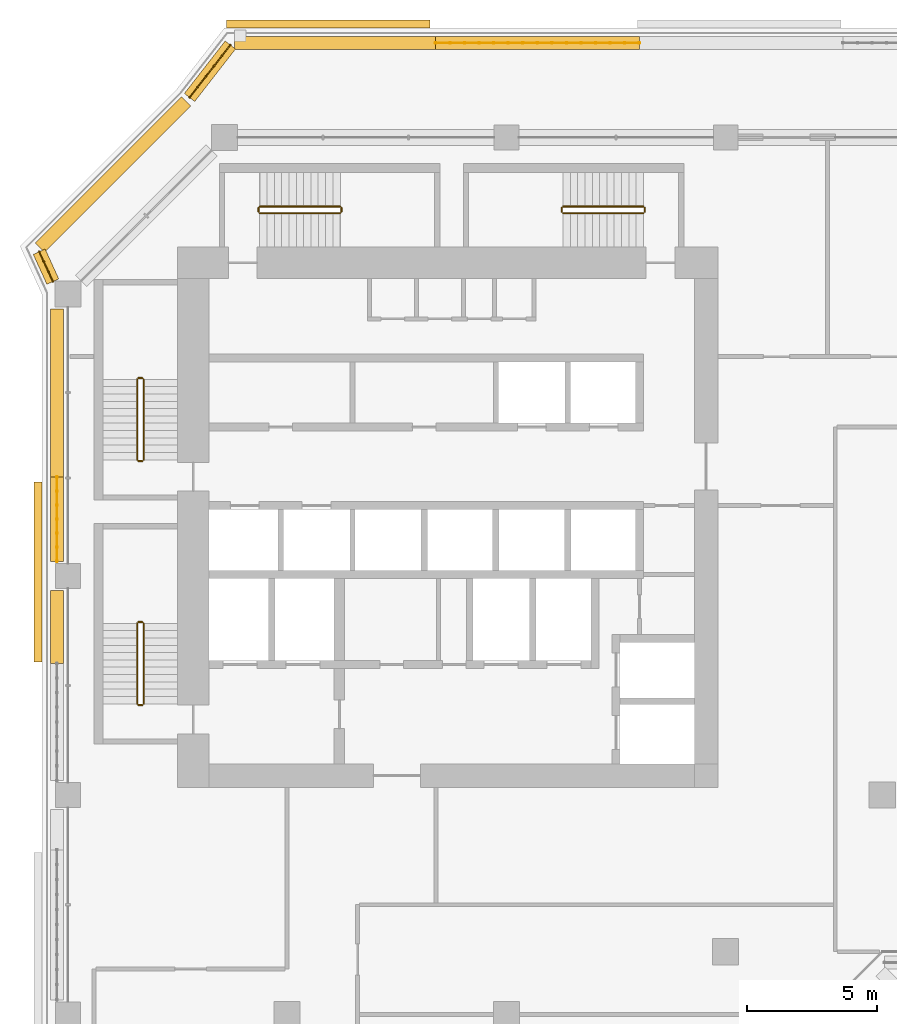
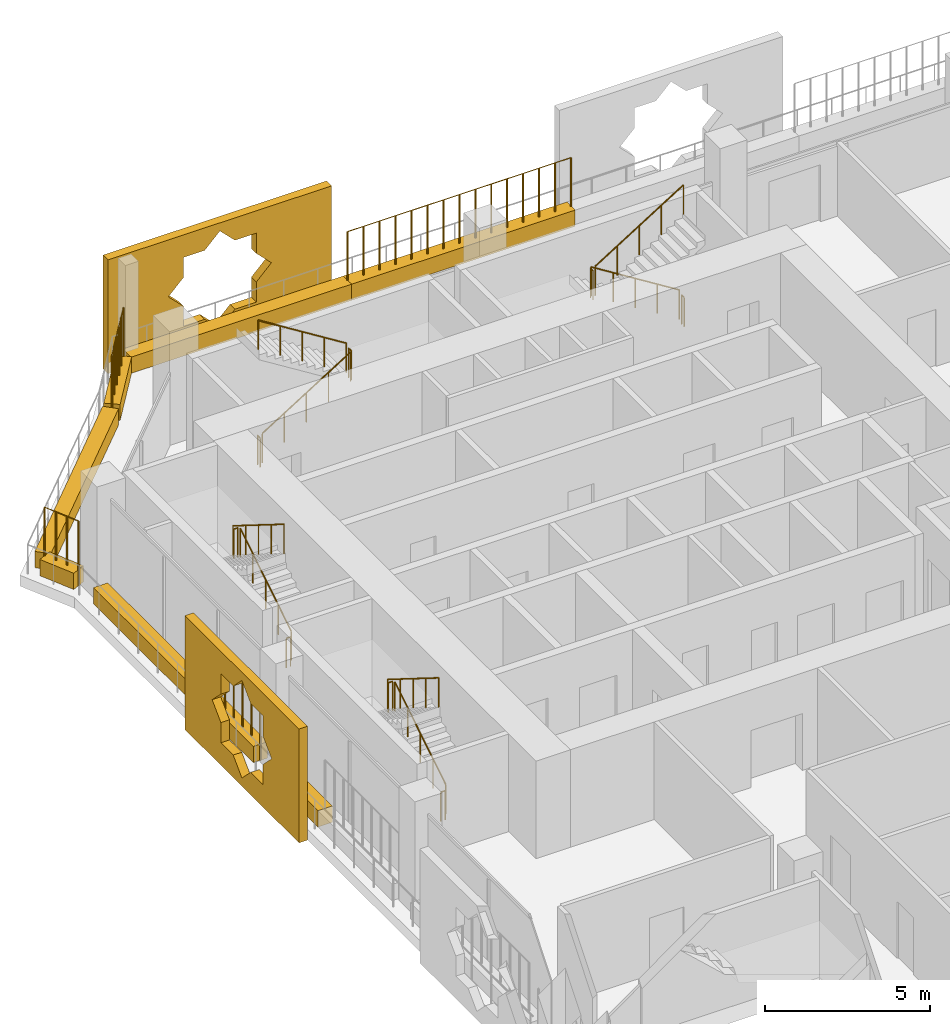
# One storey, part 19 of 21: 20 railings, 10 coverings.
"""IFC4 building model written with IfcOpenShell, lengths in metres."""

from ifc_helpers import new_model, si_unit, direction, frame, origin, origin_2d, place, context, subcontext, project, spatial, polyline, rectangle, circle, outline, extrude, material, material_profile, profile_set, type_object, element, save


model = new_model("IFC4")

# Units and contexts
model_context = context("Model", 3, precision=1e-05, world=origin(), true_north=direction((0.0, 1.0)))
body_context = subcontext(model_context, "Body", "Model", "MODEL_VIEW")
ifc_project = project(units=[si_unit("LENGTHUNIT", "METRE"), si_unit("AREAUNIT", "SQUARE_METRE"), si_unit("VOLUMEUNIT", "CUBIC_METRE"), si_unit("PLANEANGLEUNIT", "RADIAN"), si_unit("MASSUNIT", "GRAM", prefix="KILO")], contexts=[model_context])

# Site, building, storey
site_placement = place(None, origin())
site = spatial("IfcSite", under=ifc_project, at=site_placement, CompositionType="ELEMENT")
building_placement = place(site_placement, origin())
building = spatial("IfcBuilding", under=site, at=building_placement, Name="Kawkab Arch Medical Tower", CompositionType="ELEMENT")
storey_placement = place(building_placement, frame((0.0, 0.0, 200.39990234375)))
storey = spatial("IfcBuildingStorey", under=building, at=storey_placement, Name="L46", CompositionType="ELEMENT", Elevation=200.39990234375)

# Coverings
ifc_material_1 = material(Name="Bronze anodised aluminium mashrabiya panel, eight-point star pattern", Category="aluminium")
ifc_material_profile_1 = material_profile(ifc_material_1, outline(polyline([(-3.449951171875, -2.10009765625), (3.449951171875, -2.10009765625), (3.449951171875, 2.10009765625), (-3.449951171875, 2.10009765625), (-3.449951171875, -2.10009765625)]), holes=[polyline([(1.800048828125, 0.0), (1.272705078125, 0.527099609375), (1.272705078125, 1.272705078125), (0.527099609375, 1.272705078125), (0.0, 1.800048828125), (-0.527099609375, 1.272705078125), (-1.272705078125, 1.272705078125), (-1.272705078125, 0.527099609375), (-1.800048828125, 0.0), (-1.272705078125, -0.527099609375), (-1.272705078125, -1.272705078125), (-0.527099609375, -1.272705078125), (0.0, -1.800048828125), (0.527099609375, -1.272705078125), (1.272705078125, -1.272705078125), (1.272705078125, -0.527099609375), (1.800048828125, 0.0)])]), Name="Mashrabiya panel 6900x4200")
ifc_profile_set_1 = profile_set([ifc_material_profile_1], Name="Bronze anodised aluminium mashrabiya panel, eight-point star pattern")
covering_type_1 = type_object("IfcCoveringType", Name="Mashrabiya panel 6900 x 4200", PredefinedType="USERDEFINED", material=ifc_profile_set_1)
covering_1_placement = place(storey_placement, frame((-1.0, -16.64892578125, 1.7001953125), z_axis=(-1.0, 0.0, 0.0), x_axis=(0.0, -1.0, 0.0)))
element("IfcCovering", 1, at=covering_1_placement, inside=storey, type_object=covering_type_1, Name="Mashrabiya panel L46.LOG-01-01.4", ObjectType="SCREEN", PredefinedType="USERDEFINED", context=body_context, shape_type="SweptSolid", body=[
    extrude(outline(polyline([(-3.449951171875, -2.10009765625), (3.449951171875, -2.10009765625), (3.449951171875, 2.10009765625), (-3.449951171875, 2.10009765625), (-3.449951171875, -2.10009765625)]), holes=[polyline([(1.800048828125, 0.0), (1.272705078125, 0.527099609375), (1.272705078125, 1.272705078125), (0.527099609375, 1.272705078125), (0.0, 1.800048828125), (-0.527099609375, 1.272705078125), (-1.272705078125, 1.272705078125), (-1.272705078125, 0.527099609375), (-1.800048828125, 0.0), (-1.272705078125, -0.527099609375), (-1.272705078125, -1.272705078125), (-0.527099609375, -1.272705078125), (0.0, -1.800048828125), (0.527099609375, -1.272705078125), (1.272705078125, -1.272705078125), (1.272705078125, -0.527099609375), (1.800048828125, 0.0)])]), origin(), (0.0, 0.0, 1.0), 0.300048828125),
])
ifc_material_2 = material(Name="Bronze anodised aluminium mashrabiya panel, eight-point star pattern", Category="aluminium")
ifc_material_profile_2 = material_profile(ifc_material_2, outline(polyline([(-3.89990234375, -2.10009765625), (3.89990234375, -2.10009765625), (3.89990234375, 2.10009765625), (-3.89990234375, 2.10009765625), (-3.89990234375, -2.10009765625)]), holes=[polyline([(1.800048828125, 0.0), (1.272705078125, 0.527099609375), (1.272705078125, 1.272705078125), (0.527099609375, 1.272705078125), (0.0, 1.800048828125), (-0.527099609375, 1.272705078125), (-1.272705078125, 1.272705078125), (-1.272705078125, 0.527099609375), (-1.800048828125, 0.0), (-1.272705078125, -0.527099609375), (-1.272705078125, -1.272705078125), (-0.527099609375, -1.272705078125), (0.0, -1.800048828125), (0.527099609375, -1.272705078125), (1.272705078125, -1.272705078125), (1.272705078125, -0.527099609375), (1.800048828125, 0.0)])]), Name="Mashrabiya panel 7800x4200")
ifc_profile_set_2 = profile_set([ifc_material_profile_2], Name="Bronze anodised aluminium mashrabiya panel, eight-point star pattern")
covering_type_2 = type_object("IfcCoveringType", Name="Mashrabiya panel 7800 x 4200", PredefinedType="USERDEFINED", material=ifc_profile_set_2)
covering_2_placement = place(storey_placement, frame((9.967041015625, 4.199951171875, 1.7001953125), z_axis=(0.0, 1.0, 0.0), x_axis=(-1.0, 0.0, 0.0)))
element("IfcCovering", 2, at=covering_2_placement, inside=storey, type_object=covering_type_2, Name="Mashrabiya panel L46.LOG-01-01.5", ObjectType="SCREEN", PredefinedType="USERDEFINED", context=body_context, shape_type="SweptSolid", body=[
    extrude(outline(polyline([(-3.89990234375, -2.10009765625), (3.89990234375, -2.10009765625), (3.89990234375, 2.10009765625), (-3.89990234375, 2.10009765625), (-3.89990234375, -2.10009765625)]), holes=[polyline([(1.800048828125, 0.0), (1.272705078125, 0.527099609375), (1.272705078125, 1.272705078125), (0.527099609375, 1.272705078125), (0.0, 1.800048828125), (-0.527099609375, 1.272705078125), (-1.272705078125, 1.272705078125), (-1.272705078125, 0.527099609375), (-1.800048828125, 0.0), (-1.272705078125, -0.527099609375), (-1.272705078125, -1.272705078125), (-0.527099609375, -1.272705078125), (0.0, -1.800048828125), (0.527099609375, -1.272705078125), (1.272705078125, -1.272705078125), (1.272705078125, -0.527099609375), (1.800048828125, 0.0)])]), origin(), (0.0, 0.0, 1.0), 0.300048828125),
])
ifc_material_3 = material(Name="Planting soil in a precast trough", Category="concrete")
ifc_material_profile_3 = material_profile(ifc_material_3, rectangle(XDim=0.5, YDim=0.60009765625, at=origin_2d()), Name="Trough 500x600")
ifc_profile_set_3 = profile_set([ifc_material_profile_3], Name="Planting soil in a precast trough")
covering_type_3 = type_object("IfcCoveringType", Name="Planter trough 500 x 600", PredefinedType="USERDEFINED", material=ifc_profile_set_3)
covering_3_placement = place(storey_placement, frame((-0.419921875, -20.157958984375, 0.300048828125), z_axis=(0.0, 1.0, 0.0), x_axis=(-1.0, 0.0, 0.0)))
element("IfcCovering", 3, at=covering_3_placement, inside=storey, type_object=covering_type_3, Name="Planter L46.LOG-01-01.12", ObjectType="PLANTER", PredefinedType="USERDEFINED", context=body_context, shape_type="SweptSolid", body=[
    extrude(rectangle(XDim=0.5, YDim=0.60009765625, at=origin_2d()), origin(), (0.0, 0.0, 1.0), 2.802978515625),
])
covering_4_placement = place(storey_placement, frame((-0.419921875, -16.2451171875, 0.300048828125), z_axis=(0.0, 1.0, 0.0), x_axis=(-1.0, 0.0, 0.0)))
element("IfcCovering", 4, at=covering_4_placement, inside=storey, type_object=covering_type_3, Name="Planter L46.LOG-01-01.13", ObjectType="PLANTER", PredefinedType="USERDEFINED", context=body_context, shape_type="SweptSolid", body=[
    extrude(rectangle(XDim=0.5, YDim=0.60009765625, at=origin_2d()), origin(), (0.0, 0.0, 1.0), 3.22900390625),
])
covering_5_placement = place(storey_placement, frame((-0.419921875, -13.01611328125, 0.300048828125), z_axis=(0.0, 1.0, 0.0), x_axis=(-1.0, 0.0, 0.0)))
element("IfcCovering", 5, at=covering_5_placement, inside=storey, type_object=covering_type_3, Name="Planter L46.LOG-01-01.14", ObjectType="PLANTER", PredefinedType="USERDEFINED", context=body_context, shape_type="SweptSolid", body=[
    extrude(rectangle(XDim=0.5, YDim=0.60009765625, at=origin_2d()), origin(), (0.0, 0.0, 1.0), 6.43603515625),
])
covering_6_placement = place(storey_placement, frame((-0.580078125, -5.52294921875, 0.300048828125), z_axis=(-0.415089762627, 0.909780461959, 0.0), x_axis=(-0.909780461959, -0.415089762627, 0.0)))
element("IfcCovering", 6, at=covering_6_placement, inside=storey, type_object=covering_type_3, Name="Planter L46.LOG-01-01.15", ObjectType="PLANTER", PredefinedType="USERDEFINED", context=body_context, shape_type="SweptSolid", body=[
    extrude(rectangle(XDim=0.5, YDim=0.60009765625, at=origin_2d()), origin(), (0.0, 0.0, 1.0), 1.257568359375),
])
covering_7_placement = place(storey_placement, frame((-1.072998046875, -4.217041015625, 0.300048828125), z_axis=(0.707106781187, 0.707106781187, 0.0), x_axis=(-0.707106781187, 0.707106781187, 0.0)))
element("IfcCovering", 7, at=covering_7_placement, inside=storey, type_object=covering_type_3, Name="Planter L46.LOG-01-01.16", ObjectType="PLANTER", PredefinedType="USERDEFINED", context=body_context, shape_type="SweptSolid", body=[
    extrude(rectangle(XDim=0.5, YDim=0.60009765625, at=origin_2d()), origin(), (0.0, 0.0, 1.0), 7.919677734375),
])
covering_8_placement = place(storey_placement, frame((4.658935546875, 1.531982421875, 0.300048828125), z_axis=(0.61404021143, 0.789274742246, 0.0), x_axis=(-0.789274742246, 0.61404021143, 0.0)))
element("IfcCovering", 8, at=covering_8_placement, inside=storey, type_object=covering_type_3, Name="Planter L46.LOG-01-01.17", ObjectType="PLANTER", PredefinedType="USERDEFINED", context=body_context, shape_type="SweptSolid", body=[
    extrude(rectangle(XDim=0.5, YDim=0.60009765625, at=origin_2d()), origin(), (0.0, 0.0, 1.0), 2.54541015625),
])
covering_9_placement = place(storey_placement, frame((6.384033203125, 3.6201171875, 0.300048828125), z_axis=(1.0, 0.0, 0.0), x_axis=(0.0, 1.0, 0.0)))
element("IfcCovering", 9, at=covering_9_placement, inside=storey, type_object=covering_type_3, Name="Planter L46.LOG-01-01.18", ObjectType="PLANTER", PredefinedType="USERDEFINED", context=body_context, shape_type="SweptSolid", body=[
    extrude(rectangle(XDim=0.5, YDim=0.60009765625, at=origin_2d()), origin(), (0.0, 0.0, 1.0), 7.703857421875),
])
covering_10_placement = place(storey_placement, frame((14.087890625, 3.6201171875, 0.300048828125), z_axis=(1.0, 0.0, 0.0), x_axis=(0.0, 1.0, 0.0)))
element("IfcCovering", 10, at=covering_10_placement, inside=storey, type_object=covering_type_3, Name="Planter L46.LOG-01-01.19", ObjectType="PLANTER", PredefinedType="USERDEFINED", context=body_context, shape_type="SweptSolid", body=[
    extrude(rectangle(XDim=0.5, YDim=0.60009765625, at=origin_2d()), origin(), (0.0, 0.0, 1.0), 7.80517578125),
])

# Railings
ifc_material_4 = material(Name="Bronze anodised aluminium trellis for climbing plants", Category="aluminium")
railing_type_1 = type_object("IfcRailingType", Name="Planting trellis 2400", PredefinedType="USERDEFINED", material=ifc_material_4)
railing_1_placement = place(storey_placement, frame((-0.419921875, -16.2451171875, 0.0)))
element("IfcRailing", 11, at=railing_1_placement, inside=storey, type_object=railing_type_1, Name="Planting trellis L46.LOG-01-01.13", ObjectType="TRELLIS", PredefinedType="USERDEFINED", context=body_context, shape_type="SweptSolid", body=[
    extrude(circle(Radius=0.01513671875, at=origin_2d()), frame((0.0, 0.0, 2.384765625), z_axis=(0.0, 1.0, 0.0), x_axis=(-1.0, 0.0, 0.0)), (0.0, 0.0, 1.0), 3.22900390625),
    extrude(circle(Radius=0.030029296875, at=origin_2d()), origin(), (0.0, 0.0, 1.0), 2.369873046875),
    extrude(circle(Radius=0.030029296875, at=origin_2d()), frame((0.0, 0.5380859375, 0.0)), (0.0, 0.0, 1.0), 2.369873046875),
    extrude(circle(Radius=0.030029296875, at=origin_2d()), frame((0.0, 1.076416015625, 0.0)), (0.0, 0.0, 1.0), 2.369873046875),
    extrude(circle(Radius=0.030029296875, at=origin_2d()), frame((0.0, 1.614501953125, 0.0)), (0.0, 0.0, 1.0), 2.369873046875),
    extrude(circle(Radius=0.030029296875, at=origin_2d()), frame((0.0, 2.152587890625, 0.0)), (0.0, 0.0, 1.0), 2.369873046875),
    extrude(circle(Radius=0.030029296875, at=origin_2d()), frame((0.0, 2.69091796875, 0.0)), (0.0, 0.0, 1.0), 2.369873046875),
    extrude(circle(Radius=0.030029296875, at=origin_2d()), frame((0.0, 3.22900390625, 0.0)), (0.0, 0.0, 1.0), 2.369873046875),
])
railing_2_placement = place(storey_placement, frame((-0.580078125, -5.52294921875, 0.0)))
element("IfcRailing", 12, at=railing_2_placement, inside=storey, type_object=railing_type_1, Name="Planting trellis L46.LOG-01-01.15", ObjectType="TRELLIS", PredefinedType="USERDEFINED", context=body_context, shape_type="SweptSolid", body=[
    extrude(circle(Radius=0.01513671875, at=origin_2d()), frame((0.0, 0.0, 2.384765625), z_axis=(-0.415089762627, 0.909780461959, 0.0), x_axis=(-0.909780461959, -0.415089762627, 0.0)), (0.0, 0.0, 1.0), 1.257568359375),
    extrude(circle(Radius=0.030029296875, at=origin_2d()), origin(), (0.0, 0.0, 1.0), 2.369873046875),
    extrude(circle(Radius=0.030029296875, at=origin_2d()), frame((-0.174072265625, 0.38134765625, 0.0)), (0.0, 0.0, 1.0), 2.369873046875),
    extrude(circle(Radius=0.030029296875, at=origin_2d()), frame((-0.347900390625, 0.7626953125, 0.0)), (0.0, 0.0, 1.0), 2.369873046875),
    extrude(circle(Radius=0.030029296875, at=origin_2d()), frame((-0.52197265625, 1.14404296875, 0.0)), (0.0, 0.0, 1.0), 2.369873046875),
])
railing_3_placement = place(storey_placement, frame((4.658935546875, 1.531982421875, 0.0)))
element("IfcRailing", 13, at=railing_3_placement, inside=storey, type_object=railing_type_1, Name="Planting trellis L46.LOG-01-01.17", ObjectType="TRELLIS", PredefinedType="USERDEFINED", context=body_context, shape_type="SweptSolid", body=[
    extrude(circle(Radius=0.01513671875, at=origin_2d()), frame((0.0, 0.0, 2.384765625), z_axis=(0.61404021143, 0.789274742246, 0.0), x_axis=(-0.789274742246, 0.61404021143, 0.0)), (0.0, 0.0, 1.0), 2.54541015625),
    extrude(circle(Radius=0.030029296875, at=origin_2d()), origin(), (0.0, 0.0, 1.0), 2.369873046875),
    extrude(circle(Radius=0.030029296875, at=origin_2d()), frame((0.3125, 0.40185546875, 0.0)), (0.0, 0.0, 1.0), 2.369873046875),
    extrude(circle(Radius=0.030029296875, at=origin_2d()), frame((0.625244140625, 0.8037109375, 0.0)), (0.0, 0.0, 1.0), 2.369873046875),
    extrude(circle(Radius=0.030029296875, at=origin_2d()), frame((0.937744140625, 1.205322265625, 0.0)), (0.0, 0.0, 1.0), 2.369873046875),
    extrude(circle(Radius=0.030029296875, at=origin_2d()), frame((1.25048828125, 1.607177734375, 0.0)), (0.0, 0.0, 1.0), 2.369873046875),
    extrude(circle(Radius=0.030029296875, at=origin_2d()), frame((1.56298828125, 2.009033203125, 0.0)), (0.0, 0.0, 1.0), 2.369873046875),
])
railing_4_placement = place(storey_placement, frame((14.087890625, 3.6201171875, 0.0)))
element("IfcRailing", 14, at=railing_4_placement, inside=storey, type_object=railing_type_1, Name="Planting trellis L46.LOG-01-01.19", ObjectType="TRELLIS", PredefinedType="USERDEFINED", context=body_context, shape_type="SweptSolid", body=[
    extrude(circle(Radius=0.01513671875, at=origin_2d()), frame((0.0, 0.0, 2.384765625), z_axis=(1.0, 0.0, 0.0), x_axis=(0.0, 1.0, 0.0)), (0.0, 0.0, 1.0), 7.80517578125),
    extrude(circle(Radius=0.030029296875, at=origin_2d()), origin(), (0.0, 0.0, 1.0), 2.369873046875),
    extrude(circle(Radius=0.030029296875, at=origin_2d()), frame((0.5576171875, 0.0, 0.0)), (0.0, 0.0, 1.0), 2.369873046875),
    extrude(circle(Radius=0.030029296875, at=origin_2d()), frame((1.114990234375, 0.0, 0.0)), (0.0, 0.0, 1.0), 2.369873046875),
    extrude(circle(Radius=0.030029296875, at=origin_2d()), frame((1.672607421875, 0.0, 0.0)), (0.0, 0.0, 1.0), 2.369873046875),
    extrude(circle(Radius=0.030029296875, at=origin_2d()), frame((2.22998046875, 0.0, 0.0)), (0.0, 0.0, 1.0), 2.369873046875),
    extrude(circle(Radius=0.030029296875, at=origin_2d()), frame((2.78759765625, 0.0, 0.0)), (0.0, 0.0, 1.0), 2.369873046875),
    extrude(circle(Radius=0.030029296875, at=origin_2d()), frame((3.344970703125, 0.0, 0.0)), (0.0, 0.0, 1.0), 2.369873046875),
    extrude(circle(Radius=0.030029296875, at=origin_2d()), frame((3.902587890625, 0.0, 0.0)), (0.0, 0.0, 1.0), 2.369873046875),
    extrude(circle(Radius=0.030029296875, at=origin_2d()), frame((4.460205078125, 0.0, 0.0)), (0.0, 0.0, 1.0), 2.369873046875),
    extrude(circle(Radius=0.030029296875, at=origin_2d()), frame((5.017578125, 0.0, 0.0)), (0.0, 0.0, 1.0), 2.369873046875),
    extrude(circle(Radius=0.030029296875, at=origin_2d()), frame((5.5751953125, 0.0, 0.0)), (0.0, 0.0, 1.0), 2.369873046875),
    extrude(circle(Radius=0.030029296875, at=origin_2d()), frame((6.132568359375, 0.0, 0.0)), (0.0, 0.0, 1.0), 2.369873046875),
    extrude(circle(Radius=0.030029296875, at=origin_2d()), frame((6.690185546875, 0.0, 0.0)), (0.0, 0.0, 1.0), 2.369873046875),
    extrude(circle(Radius=0.030029296875, at=origin_2d()), frame((7.24755859375, 0.0, 0.0)), (0.0, 0.0, 1.0), 2.369873046875),
    extrude(circle(Radius=0.030029296875, at=origin_2d()), frame((7.80517578125, 0.0, 0.0)), (0.0, 0.0, 1.0), 2.369873046875),
])
ifc_material_5 = material(Name="Stainless steel", Category="steel")
railing_type_2 = type_object("IfcRailingType", Name="Stair guard 1100", PredefinedType="GUARDRAIL", material=ifc_material_5)
railing_5_placement = place(storey_placement, frame((2.89990234375, -12.35009765625, 0.175048828125)))
element("IfcRailing", 15, at=railing_5_placement, inside=storey, type_object=railing_type_2, Name="L46 ST1 stair guard 1", PredefinedType="GUARDRAIL", context=body_context, shape_type="SweptSolid", body=[
    extrude(circle(Radius=0.02392578125, at=origin_2d()), frame((0.0, 0.0, 1.076171875), z_axis=(0.0, 0.847998304005, 0.529998940003), x_axis=(-1.0, 0.0, 0.0)), (0.0, 0.0, 1.0), 3.632080078125),
    extrude(circle(Radius=0.02099609375, at=origin_2d()), origin(), (0.0, 0.0, 1.0), 1.052001953125),
    extrude(circle(Radius=0.02099609375, at=origin_2d()), frame((0.0, 0.77001953125, 0.481201171875)), (0.0, 0.0, 1.0), 1.052001953125),
    extrude(circle(Radius=0.02099609375, at=origin_2d()), frame((0.0, 1.5400390625, 0.96240234375)), (0.0, 0.0, 1.0), 1.052001953125),
    extrude(circle(Radius=0.02099609375, at=origin_2d()), frame((0.0, 2.31005859375, 1.44384765625)), (0.0, 0.0, 1.0), 1.052001953125),
    extrude(circle(Radius=0.02099609375, at=origin_2d()), frame((0.0, 3.080078125, 1.925048828125)), (0.0, 0.0, 1.0), 1.052001953125),
])
railing_6_placement = place(storey_placement, frame((2.85009765625, -9.219970703125, 2.10009765625)))
element("IfcRailing", 16, at=railing_6_placement, inside=storey, type_object=railing_type_2, Name="L46 ST1 stair guard 2", PredefinedType="GUARDRAIL", context=body_context, shape_type="SweptSolid", body=[
    extrude(circle(Radius=0.02392578125, at=origin_2d()), frame((0.0, 0.0, 1.076171875), z_axis=(-1.0, 0.0, 0.0), x_axis=(0.0, -1.0, 0.0)), (0.0, 0.0, 1.0), 0.150146484375),
    extrude(circle(Radius=0.02099609375, at=origin_2d()), origin(), (0.0, 0.0, 1.0), 1.052001953125),
    extrude(circle(Radius=0.02099609375, at=origin_2d()), frame((-0.150146484375, 0.0, 0.0)), (0.0, 0.0, 1.0), 1.052001953125),
])
railing_7_placement = place(storey_placement, frame((2.64990234375, -9.27001953125, 2.275146484375)))
element("IfcRailing", 17, at=railing_7_placement, inside=storey, type_object=railing_type_2, Name="L46 ST1 stair guard 3", PredefinedType="GUARDRAIL", context=body_context, shape_type="SweptSolid", body=[
    extrude(circle(Radius=0.02392578125, at=origin_2d()), frame((0.0, 0.0, 1.076171875), z_axis=(0.0, -0.847998304005, 0.529998940003), x_axis=(1.0, 0.0, 0.0)), (0.0, 0.0, 1.0), 3.632080078125),
    extrude(circle(Radius=0.02099609375, at=origin_2d()), origin(), (0.0, 0.0, 1.0), 1.052001953125),
    extrude(circle(Radius=0.02099609375, at=origin_2d()), frame((0.0, -0.77001953125, 0.481201171875)), (0.0, 0.0, 1.0), 1.052001953125),
    extrude(circle(Radius=0.02099609375, at=origin_2d()), frame((0.0, -1.5400390625, 0.96240234375)), (0.0, 0.0, 1.0), 1.052001953125),
    extrude(circle(Radius=0.02099609375, at=origin_2d()), frame((0.0, -2.31005859375, 1.44384765625)), (0.0, 0.0, 1.0), 1.052001953125),
    extrude(circle(Radius=0.02099609375, at=origin_2d()), frame((0.0, -3.080078125, 1.925048828125)), (0.0, 0.0, 1.0), 1.052001953125),
])
railing_8_placement = place(storey_placement, frame((2.85009765625, -12.39990234375, 0.0)))
element("IfcRailing", 18, at=railing_8_placement, inside=storey, type_object=railing_type_2, Name="L46 ST1 stair guard 4", PredefinedType="GUARDRAIL", context=body_context, shape_type="SweptSolid", body=[
    extrude(circle(Radius=0.02392578125, at=origin_2d()), frame((0.0, 0.0, 1.076171875), z_axis=(-1.0, 0.0, 0.0), x_axis=(0.0, -1.0, 0.0)), (0.0, 0.0, 1.0), 0.150146484375),
    extrude(circle(Radius=0.02099609375, at=origin_2d()), origin(), (0.0, 0.0, 1.0), 1.052001953125),
    extrude(circle(Radius=0.02099609375, at=origin_2d()), frame((-0.150146484375, 0.0, 0.0)), (0.0, 0.0, 1.0), 1.052001953125),
])
railing_9_placement = place(storey_placement, frame((2.89990234375, -21.699951171875, 0.175048828125)))
element("IfcRailing", 19, at=railing_9_placement, inside=storey, type_object=railing_type_2, Name="L46 ST2 stair guard 1", PredefinedType="GUARDRAIL", context=body_context, shape_type="SweptSolid", body=[
    extrude(circle(Radius=0.02392578125, at=origin_2d()), frame((0.0, 0.0, 1.076171875), z_axis=(0.0, 0.847979421464, 0.530029150871), x_axis=(-1.0, 0.0, 0.0)), (0.0, 0.0, 1.0), 3.632080078125),
    extrude(circle(Radius=0.02099609375, at=origin_2d()), origin(), (0.0, 0.0, 1.0), 1.052001953125),
    extrude(circle(Radius=0.02099609375, at=origin_2d()), frame((0.0, 0.77001953125, 0.481201171875)), (0.0, 0.0, 1.0), 1.052001953125),
    extrude(circle(Radius=0.02099609375, at=origin_2d()), frame((0.0, 1.5400390625, 0.96240234375)), (0.0, 0.0, 1.0), 1.052001953125),
    extrude(circle(Radius=0.02099609375, at=origin_2d()), frame((0.0, 2.309814453125, 1.44384765625)), (0.0, 0.0, 1.0), 1.052001953125),
    extrude(circle(Radius=0.02099609375, at=origin_2d()), frame((0.0, 3.079833984375, 1.925048828125)), (0.0, 0.0, 1.0), 1.052001953125),
])
railing_10_placement = place(storey_placement, frame((2.85009765625, -18.570068359375, 2.10009765625)))
element("IfcRailing", 20, at=railing_10_placement, inside=storey, type_object=railing_type_2, Name="L46 ST2 stair guard 2", PredefinedType="GUARDRAIL", context=body_context, shape_type="SweptSolid", body=[
    extrude(circle(Radius=0.02392578125, at=origin_2d()), frame((0.0, 0.0, 1.076171875), z_axis=(-1.0, 0.0, 0.0), x_axis=(0.0, -1.0, 0.0)), (0.0, 0.0, 1.0), 0.150146484375),
    extrude(circle(Radius=0.02099609375, at=origin_2d()), origin(), (0.0, 0.0, 1.0), 1.052001953125),
    extrude(circle(Radius=0.02099609375, at=origin_2d()), frame((-0.150146484375, 0.0, 0.0)), (0.0, 0.0, 1.0), 1.052001953125),
])
railing_11_placement = place(storey_placement, frame((2.64990234375, -18.6201171875, 2.275146484375)))
element("IfcRailing", 21, at=railing_11_placement, inside=storey, type_object=railing_type_2, Name="L46 ST2 stair guard 3", PredefinedType="GUARDRAIL", context=body_context, shape_type="SweptSolid", body=[
    extrude(circle(Radius=0.02392578125, at=origin_2d()), frame((0.0, 0.0, 1.076171875), z_axis=(0.0, -0.847979421464, 0.530029150871), x_axis=(1.0, 0.0, 0.0)), (0.0, 0.0, 1.0), 3.632080078125),
    extrude(circle(Radius=0.02099609375, at=origin_2d()), origin(), (0.0, 0.0, 1.0), 1.052001953125),
    extrude(circle(Radius=0.02099609375, at=origin_2d()), frame((0.0, -0.77001953125, 0.481201171875)), (0.0, 0.0, 1.0), 1.052001953125),
    extrude(circle(Radius=0.02099609375, at=origin_2d()), frame((0.0, -1.5400390625, 0.96240234375)), (0.0, 0.0, 1.0), 1.052001953125),
    extrude(circle(Radius=0.02099609375, at=origin_2d()), frame((0.0, -2.309814453125, 1.44384765625)), (0.0, 0.0, 1.0), 1.052001953125),
    extrude(circle(Radius=0.02099609375, at=origin_2d()), frame((0.0, -3.079833984375, 1.925048828125)), (0.0, 0.0, 1.0), 1.052001953125),
])
railing_12_placement = place(storey_placement, frame((2.85009765625, -21.75, 0.0)))
element("IfcRailing", 22, at=railing_12_placement, inside=storey, type_object=railing_type_2, Name="L46 ST2 stair guard 4", PredefinedType="GUARDRAIL", context=body_context, shape_type="SweptSolid", body=[
    extrude(circle(Radius=0.02392578125, at=origin_2d()), frame((0.0, 0.0, 1.076171875), z_axis=(-1.0, 0.0, 0.0), x_axis=(0.0, -1.0, 0.0)), (0.0, 0.0, 1.0), 0.150146484375),
    extrude(circle(Radius=0.02099609375, at=origin_2d()), origin(), (0.0, 0.0, 1.0), 1.052001953125),
    extrude(circle(Radius=0.02099609375, at=origin_2d()), frame((-0.150146484375, 0.0, 0.0)), (0.0, 0.0, 1.0), 1.052001953125),
])
railing_13_placement = place(storey_placement, frame((7.35009765625, -2.89990234375, 0.175048828125)))
element("IfcRailing", 23, at=railing_13_placement, inside=storey, type_object=railing_type_2, Name="L46 ST3 stair guard 1", PredefinedType="GUARDRAIL", context=body_context, shape_type="SweptSolid", body=[
    extrude(circle(Radius=0.02392578125, at=origin_2d()), frame((0.0, 0.0, 1.076171875), z_axis=(0.847979421464, 0.0, 0.530029150871), x_axis=(0.0, 1.0, 0.0)), (0.0, 0.0, 1.0), 3.632080078125),
    extrude(circle(Radius=0.02099609375, at=origin_2d()), origin(), (0.0, 0.0, 1.0), 1.052001953125),
    extrude(circle(Radius=0.02099609375, at=origin_2d()), frame((0.77001953125, 0.0, 0.481201171875)), (0.0, 0.0, 1.0), 1.052001953125),
    extrude(circle(Radius=0.02099609375, at=origin_2d()), frame((1.5400390625, 0.0, 0.96240234375)), (0.0, 0.0, 1.0), 1.052001953125),
    extrude(circle(Radius=0.02099609375, at=origin_2d()), frame((2.309814453125, 0.0, 1.44384765625)), (0.0, 0.0, 1.0), 1.052001953125),
    extrude(circle(Radius=0.02099609375, at=origin_2d()), frame((3.079833984375, 0.0, 1.925048828125)), (0.0, 0.0, 1.0), 1.052001953125),
])
railing_14_placement = place(storey_placement, frame((10.47998046875, -2.85009765625, 2.10009765625)))
element("IfcRailing", 24, at=railing_14_placement, inside=storey, type_object=railing_type_2, Name="L46 ST3 stair guard 2", PredefinedType="GUARDRAIL", context=body_context, shape_type="SweptSolid", body=[
    extrude(circle(Radius=0.02392578125, at=origin_2d()), frame((0.0, 0.0, 1.076171875), z_axis=(0.0, 1.0, 0.0), x_axis=(-1.0, 0.0, 0.0)), (0.0, 0.0, 1.0), 0.150146484375),
    extrude(circle(Radius=0.02099609375, at=origin_2d()), origin(), (0.0, 0.0, 1.0), 1.052001953125),
    extrude(circle(Radius=0.02099609375, at=origin_2d()), frame((0.0, 0.150146484375, 0.0)), (0.0, 0.0, 1.0), 1.052001953125),
])
railing_15_placement = place(storey_placement, frame((10.429931640625, -2.64990234375, 2.275146484375)))
element("IfcRailing", 25, at=railing_15_placement, inside=storey, type_object=railing_type_2, Name="L46 ST3 stair guard 3", PredefinedType="GUARDRAIL", context=body_context, shape_type="SweptSolid", body=[
    extrude(circle(Radius=0.02392578125, at=origin_2d()), frame((0.0, 0.0, 1.076171875), z_axis=(-0.847979421464, 0.0, 0.530029150871), x_axis=(0.0, -1.0, 0.0)), (0.0, 0.0, 1.0), 3.632080078125),
    extrude(circle(Radius=0.02099609375, at=origin_2d()), origin(), (0.0, 0.0, 1.0), 1.052001953125),
    extrude(circle(Radius=0.02099609375, at=origin_2d()), frame((-0.77001953125, 0.0, 0.481201171875)), (0.0, 0.0, 1.0), 1.052001953125),
    extrude(circle(Radius=0.02099609375, at=origin_2d()), frame((-1.5400390625, 0.0, 0.96240234375)), (0.0, 0.0, 1.0), 1.052001953125),
    extrude(circle(Radius=0.02099609375, at=origin_2d()), frame((-2.309814453125, 0.0, 1.44384765625)), (0.0, 0.0, 1.0), 1.052001953125),
    extrude(circle(Radius=0.02099609375, at=origin_2d()), frame((-3.079833984375, 0.0, 1.925048828125)), (0.0, 0.0, 1.0), 1.052001953125),
])
railing_16_placement = place(storey_placement, frame((7.300048828125, -2.85009765625, 0.0)))
element("IfcRailing", 26, at=railing_16_placement, inside=storey, type_object=railing_type_2, Name="L46 ST3 stair guard 4", PredefinedType="GUARDRAIL", context=body_context, shape_type="SweptSolid", body=[
    extrude(circle(Radius=0.02392578125, at=origin_2d()), frame((0.0, 0.0, 1.076171875), z_axis=(0.0, 1.0, 0.0), x_axis=(-1.0, 0.0, 0.0)), (0.0, 0.0, 1.0), 0.150146484375),
    extrude(circle(Radius=0.02099609375, at=origin_2d()), origin(), (0.0, 0.0, 1.0), 1.052001953125),
    extrude(circle(Radius=0.02099609375, at=origin_2d()), frame((0.0, 0.150146484375, 0.0)), (0.0, 0.0, 1.0), 1.052001953125),
])
railing_17_placement = place(storey_placement, frame((22.050048828125, -2.64990234375, 0.175048828125)))
element("IfcRailing", 27, at=railing_17_placement, inside=storey, type_object=railing_type_2, Name="L46 ST4 stair guard 1", PredefinedType="GUARDRAIL", context=body_context, shape_type="SweptSolid", body=[
    extrude(circle(Radius=0.02392578125, at=origin_2d()), frame((0.0, 0.0, 1.076171875), z_axis=(-0.847998304005, 0.0, 0.529998940003), x_axis=(0.0, -1.0, 0.0)), (0.0, 0.0, 1.0), 3.632080078125),
    extrude(circle(Radius=0.02099609375, at=origin_2d()), origin(), (0.0, 0.0, 1.0), 1.052001953125),
    extrude(circle(Radius=0.02099609375, at=origin_2d()), frame((-0.77001953125, 0.0, 0.481201171875)), (0.0, 0.0, 1.0), 1.052001953125),
    extrude(circle(Radius=0.02099609375, at=origin_2d()), frame((-1.5400390625, 0.0, 0.96240234375)), (0.0, 0.0, 1.0), 1.052001953125),
    extrude(circle(Radius=0.02099609375, at=origin_2d()), frame((-2.31005859375, 0.0, 1.44384765625)), (0.0, 0.0, 1.0), 1.052001953125),
    extrude(circle(Radius=0.02099609375, at=origin_2d()), frame((-3.080078125, 0.0, 1.925048828125)), (0.0, 0.0, 1.0), 1.052001953125),
])
railing_18_placement = place(storey_placement, frame((18.919921875, -2.699951171875, 2.10009765625)))
element("IfcRailing", 28, at=railing_18_placement, inside=storey, type_object=railing_type_2, Name="L46 ST4 stair guard 2", PredefinedType="GUARDRAIL", context=body_context, shape_type="SweptSolid", body=[
    extrude(circle(Radius=0.02392578125, at=origin_2d()), frame((0.0, 0.0, 1.076171875), z_axis=(0.0, -1.0, 0.0), x_axis=(1.0, 0.0, 0.0)), (0.0, 0.0, 1.0), 0.150146484375),
    extrude(circle(Radius=0.02099609375, at=origin_2d()), origin(), (0.0, 0.0, 1.0), 1.052001953125),
    extrude(circle(Radius=0.02099609375, at=origin_2d()), frame((0.0, -0.150146484375, 0.0)), (0.0, 0.0, 1.0), 1.052001953125),
])
railing_19_placement = place(storey_placement, frame((18.969970703125, -2.89990234375, 2.275146484375)))
element("IfcRailing", 29, at=railing_19_placement, inside=storey, type_object=railing_type_2, Name="L46 ST4 stair guard 3", PredefinedType="GUARDRAIL", context=body_context, shape_type="SweptSolid", body=[
    extrude(circle(Radius=0.02392578125, at=origin_2d()), frame((0.0, 0.0, 1.076171875), z_axis=(0.847998304005, 0.0, 0.529998940003), x_axis=(0.0, 1.0, 0.0)), (0.0, 0.0, 1.0), 3.632080078125),
    extrude(circle(Radius=0.02099609375, at=origin_2d()), origin(), (0.0, 0.0, 1.0), 1.052001953125),
    extrude(circle(Radius=0.02099609375, at=origin_2d()), frame((0.77001953125, 0.0, 0.481201171875)), (0.0, 0.0, 1.0), 1.052001953125),
    extrude(circle(Radius=0.02099609375, at=origin_2d()), frame((1.5400390625, 0.0, 0.96240234375)), (0.0, 0.0, 1.0), 1.052001953125),
    extrude(circle(Radius=0.02099609375, at=origin_2d()), frame((2.31005859375, 0.0, 1.44384765625)), (0.0, 0.0, 1.0), 1.052001953125),
    extrude(circle(Radius=0.02099609375, at=origin_2d()), frame((3.080078125, 0.0, 1.925048828125)), (0.0, 0.0, 1.0), 1.052001953125),
])
railing_20_placement = place(storey_placement, frame((22.10009765625, -2.699951171875, 0.0)))
element("IfcRailing", 30, at=railing_20_placement, inside=storey, type_object=railing_type_2, Name="L46 ST4 stair guard 4", PredefinedType="GUARDRAIL", context=body_context, shape_type="SweptSolid", body=[
    extrude(circle(Radius=0.02392578125, at=origin_2d()), frame((0.0, 0.0, 1.076171875), z_axis=(0.0, -1.0, 0.0), x_axis=(1.0, 0.0, 0.0)), (0.0, 0.0, 1.0), 0.150146484375),
    extrude(circle(Radius=0.02099609375, at=origin_2d()), origin(), (0.0, 0.0, 1.0), 1.052001953125),
    extrude(circle(Radius=0.02099609375, at=origin_2d()), frame((0.0, -0.150146484375, 0.0)), (0.0, 0.0, 1.0), 1.052001953125),
])

save(model, "model.ifc")
